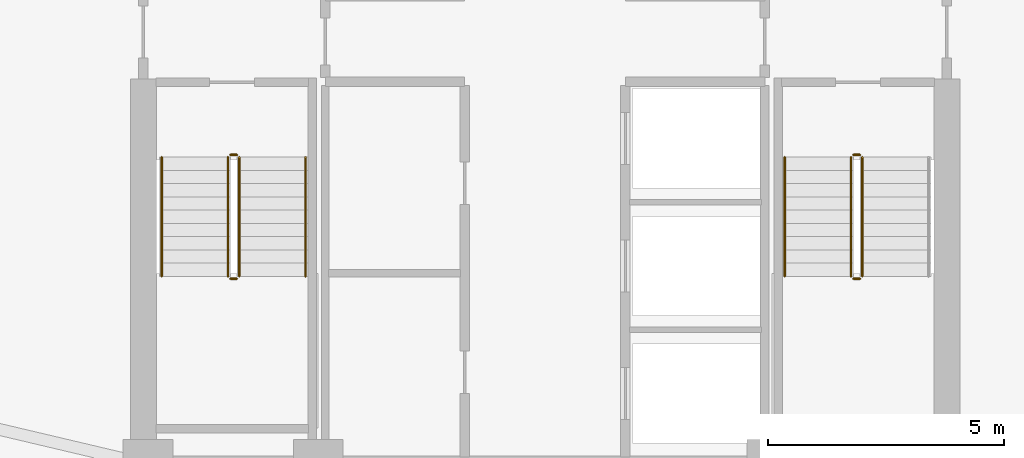
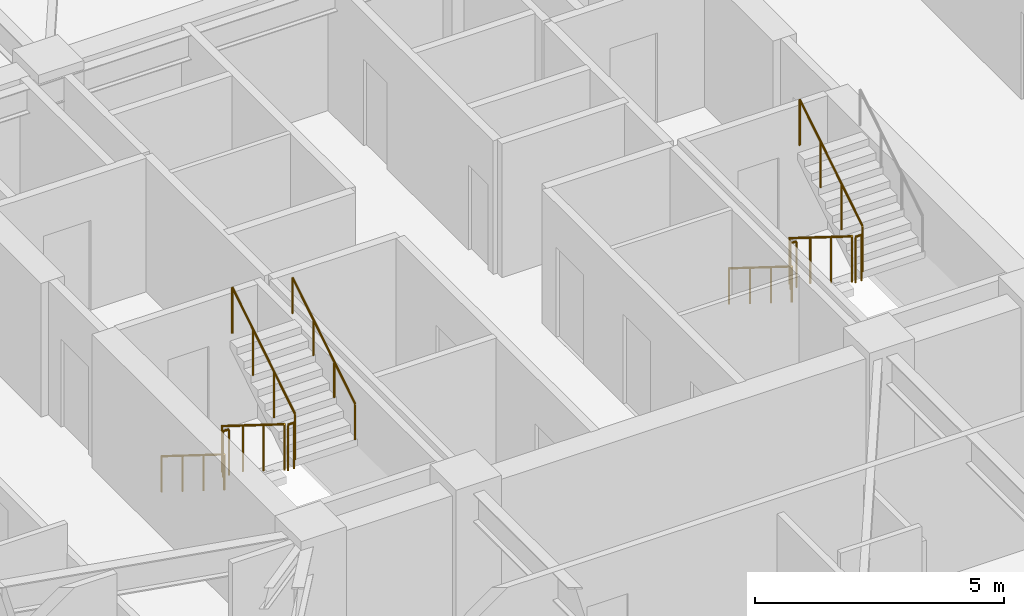
# One storey, part 8 of 11: 11 railings.
"""IFC4 building model written with IfcOpenShell, lengths in metres."""

from ifc_helpers import new_model, si_unit, direction, frame, origin, origin_2d, place, context, subcontext, project, spatial, circle, extrude, material, type_object, element, save


model = new_model("IFC4")

# Units and contexts
model_context = context("Model", 3, precision=1e-05, world=origin(), true_north=direction((0.0, 1.0)))
body_context = subcontext(model_context, "Body", "Model", "MODEL_VIEW")
ifc_project = project(units=[si_unit("LENGTHUNIT", "METRE"), si_unit("AREAUNIT", "SQUARE_METRE"), si_unit("VOLUMEUNIT", "CUBIC_METRE"), si_unit("PLANEANGLEUNIT", "RADIAN"), si_unit("MASSUNIT", "GRAM", prefix="KILO")], contexts=[model_context])

# Site, building, storey
site_placement = place(None, origin())
site = spatial("IfcSite", under=ifc_project, at=site_placement, CompositionType="ELEMENT")
building_placement = place(site_placement, origin())
building = spatial("IfcBuilding", under=site, at=building_placement, Name="Cairnveth Concourse Tower", CompositionType="ELEMENT")
storey_placement = place(building_placement, frame((0.0, 0.0, 151.5)))
storey = spatial("IfcBuildingStorey", under=building, at=storey_placement, Name="L41", CompositionType="ELEMENT", Elevation=151.5)

# Railings
ifc_material = material(Name="Steel Grade 350", Category="steel")
railing_type_1 = type_object("IfcRailingType", Name="STAIR GUARDRAIL 1150", PredefinedType="GUARDRAIL", material=ifc_material)
railing_1_placement = place(storey_placement, frame((45.2900390625, 37.10009765625, 0.175048828125)))
element("IfcRailing", 1, at=railing_1_placement, inside=storey, type_object=railing_type_1, Name="L41 ST-1 stair guard 1", PredefinedType="GUARDRAIL", context=body_context, shape_type="SweptSolid", body=[
    extrude(circle(Radius=0.02392578125, at=origin_2d()), frame((0.0, 0.0, 1.1259765625), z_axis=(0.0, -0.848007534815, 0.529984170421), x_axis=(1.0, 0.0, 0.0)), (0.0, 0.0, 1.0), 2.9716796875),
    extrude(circle(Radius=0.02099609375, at=origin_2d()), origin(), (0.0, 0.0, 1.0), 1.101806640625),
    extrude(circle(Radius=0.02099609375, at=origin_2d()), frame((0.0, -0.840087890625, 0.52490234375)), (0.0, 0.0, 1.0), 1.101806640625),
    extrude(circle(Radius=0.02099609375, at=origin_2d()), frame((0.0, -1.679931640625, 1.050048828125)), (0.0, 0.0, 1.0), 1.101806640625),
    extrude(circle(Radius=0.02099609375, at=origin_2d()), frame((0.0, -2.52001953125, 1.574951171875)), (0.0, 0.0, 1.0), 1.101806640625),
])
railing_2_placement = place(storey_placement, frame((45.340087890625, 34.530029296875, 1.75)))
element("IfcRailing", 2, at=railing_2_placement, inside=storey, type_object=railing_type_1, Name="L41 ST-1 stair guard 2", PredefinedType="GUARDRAIL", context=body_context, shape_type="SweptSolid", body=[
    extrude(circle(Radius=0.02392578125, at=origin_2d()), frame((0.0, 0.0, 1.1259765625), z_axis=(1.0, 0.0, 0.0), x_axis=(0.0, 1.0, 0.0)), (0.0, 0.0, 1.0), 0.139892578125),
    extrude(circle(Radius=0.02099609375, at=origin_2d()), origin(), (0.0, 0.0, 1.0), 1.101806640625),
    extrude(circle(Radius=0.02099609375, at=origin_2d()), frame((0.139892578125, 0.0, 0.0)), (0.0, 0.0, 1.0), 1.101806640625),
])
railing_3_placement = place(storey_placement, frame((45.530029296875, 34.580078125, 1.925048828125)))
element("IfcRailing", 3, at=railing_3_placement, inside=storey, type_object=railing_type_1, Name="L41 ST-1 stair guard 3", PredefinedType="GUARDRAIL", context=body_context, shape_type="SweptSolid", body=[
    extrude(circle(Radius=0.02392578125, at=origin_2d()), frame((0.0, 0.0, 1.1259765625), z_axis=(0.0, 0.848007534815, 0.529984170421), x_axis=(-1.0, 0.0, 0.0)), (0.0, 0.0, 1.0), 2.9716796875),
    extrude(circle(Radius=0.02099609375, at=origin_2d()), origin(), (0.0, 0.0, 1.0), 1.101806640625),
    extrude(circle(Radius=0.02099609375, at=origin_2d()), frame((0.0, 0.840087890625, 0.52490234375)), (0.0, 0.0, 1.0), 1.101806640625),
    extrude(circle(Radius=0.02099609375, at=origin_2d()), frame((0.0, 1.679931640625, 1.050048828125)), (0.0, 0.0, 1.0), 1.101806640625),
    extrude(circle(Radius=0.02099609375, at=origin_2d()), frame((0.0, 2.52001953125, 1.574951171875)), (0.0, 0.0, 1.0), 1.101806640625),
])
railing_4_placement = place(storey_placement, frame((45.340087890625, 37.14990234375, 0.0)))
element("IfcRailing", 4, at=railing_4_placement, inside=storey, type_object=railing_type_1, Name="L41 ST-1 stair guard 4", PredefinedType="GUARDRAIL", context=body_context, shape_type="SweptSolid", body=[
    extrude(circle(Radius=0.02392578125, at=origin_2d()), frame((0.0, 0.0, 1.1259765625), z_axis=(1.0, 0.0, 0.0), x_axis=(0.0, 1.0, 0.0)), (0.0, 0.0, 1.0), 0.139892578125),
    extrude(circle(Radius=0.02099609375, at=origin_2d()), origin(), (0.0, 0.0, 1.0), 1.101806640625),
    extrude(circle(Radius=0.02099609375, at=origin_2d()), frame((0.139892578125, 0.0, 0.0)), (0.0, 0.0, 1.0), 1.101806640625),
])
railing_5_placement = place(storey_placement, frame((58.469970703125, 37.10009765625, 0.175048828125)))
element("IfcRailing", 5, at=railing_5_placement, inside=storey, type_object=railing_type_1, Name="L41 ST-2 stair guard 1", PredefinedType="GUARDRAIL", context=body_context, shape_type="SweptSolid", body=[
    extrude(circle(Radius=0.02392578125, at=origin_2d()), frame((0.0, 0.0, 1.1259765625), z_axis=(0.0, -0.848007534815, 0.529984170421), x_axis=(1.0, 0.0, 0.0)), (0.0, 0.0, 1.0), 2.9716796875),
    extrude(circle(Radius=0.02099609375, at=origin_2d()), origin(), (0.0, 0.0, 1.0), 1.101806640625),
    extrude(circle(Radius=0.02099609375, at=origin_2d()), frame((0.0, -0.840087890625, 0.52490234375)), (0.0, 0.0, 1.0), 1.101806640625),
    extrude(circle(Radius=0.02099609375, at=origin_2d()), frame((0.0, -1.679931640625, 1.050048828125)), (0.0, 0.0, 1.0), 1.101806640625),
    extrude(circle(Radius=0.02099609375, at=origin_2d()), frame((0.0, -2.52001953125, 1.574951171875)), (0.0, 0.0, 1.0), 1.101806640625),
])
railing_6_placement = place(storey_placement, frame((58.52001953125, 34.530029296875, 1.75)))
element("IfcRailing", 6, at=railing_6_placement, inside=storey, type_object=railing_type_1, Name="L41 ST-2 stair guard 2", PredefinedType="GUARDRAIL", context=body_context, shape_type="SweptSolid", body=[
    extrude(circle(Radius=0.02392578125, at=origin_2d()), frame((0.0, 0.0, 1.1259765625), z_axis=(1.0, 0.0, 0.0), x_axis=(0.0, 1.0, 0.0)), (0.0, 0.0, 1.0), 0.139892578125),
    extrude(circle(Radius=0.02099609375, at=origin_2d()), origin(), (0.0, 0.0, 1.0), 1.101806640625),
    extrude(circle(Radius=0.02099609375, at=origin_2d()), frame((0.139892578125, 0.0, 0.0)), (0.0, 0.0, 1.0), 1.101806640625),
])
railing_7_placement = place(storey_placement, frame((58.7099609375, 34.580078125, 1.925048828125)))
element("IfcRailing", 7, at=railing_7_placement, inside=storey, type_object=railing_type_1, Name="L41 ST-2 stair guard 3", PredefinedType="GUARDRAIL", context=body_context, shape_type="SweptSolid", body=[
    extrude(circle(Radius=0.02392578125, at=origin_2d()), frame((0.0, 0.0, 1.1259765625), z_axis=(0.0, 0.848007534815, 0.529984170421), x_axis=(-1.0, 0.0, 0.0)), (0.0, 0.0, 1.0), 2.9716796875),
    extrude(circle(Radius=0.02099609375, at=origin_2d()), origin(), (0.0, 0.0, 1.0), 1.101806640625),
    extrude(circle(Radius=0.02099609375, at=origin_2d()), frame((0.0, 0.840087890625, 0.52490234375)), (0.0, 0.0, 1.0), 1.101806640625),
    extrude(circle(Radius=0.02099609375, at=origin_2d()), frame((0.0, 1.679931640625, 1.050048828125)), (0.0, 0.0, 1.0), 1.101806640625),
    extrude(circle(Radius=0.02099609375, at=origin_2d()), frame((0.0, 2.52001953125, 1.574951171875)), (0.0, 0.0, 1.0), 1.101806640625),
])
railing_8_placement = place(storey_placement, frame((58.52001953125, 37.14990234375, 0.0)))
element("IfcRailing", 8, at=railing_8_placement, inside=storey, type_object=railing_type_1, Name="L41 ST-2 stair guard 4", PredefinedType="GUARDRAIL", context=body_context, shape_type="SweptSolid", body=[
    extrude(circle(Radius=0.02392578125, at=origin_2d()), frame((0.0, 0.0, 1.1259765625), z_axis=(1.0, 0.0, 0.0), x_axis=(0.0, 1.0, 0.0)), (0.0, 0.0, 1.0), 0.139892578125),
    extrude(circle(Radius=0.02099609375, at=origin_2d()), origin(), (0.0, 0.0, 1.0), 1.101806640625),
    extrude(circle(Radius=0.02099609375, at=origin_2d()), frame((0.139892578125, 0.0, 0.0)), (0.0, 0.0, 1.0), 1.101806640625),
])
railing_type_2 = type_object("IfcRailingType", Name="STAIR WALL HANDRAIL 900", PredefinedType="HANDRAIL", material=ifc_material)
railing_9_placement = place(storey_placement, frame((43.889892578125, 37.10009765625, 0.175048828125)))
element("IfcRailing", 9, at=railing_9_placement, inside=storey, type_object=railing_type_2, Name="L41 ST-1 stair handrail 1", PredefinedType="HANDRAIL", context=body_context, shape_type="SweptSolid", body=[
    extrude(circle(Radius=0.02392578125, at=origin_2d()), frame((0.0, 0.0, 0.8759765625), z_axis=(0.0, -0.848007534815, 0.529984170421), x_axis=(1.0, 0.0, 0.0)), (0.0, 0.0, 1.0), 2.9716796875),
    extrude(circle(Radius=0.02099609375, at=origin_2d()), origin(), (0.0, 0.0, 1.0), 0.851806640625),
    extrude(circle(Radius=0.02099609375, at=origin_2d()), frame((0.0, -0.840087890625, 0.52490234375)), (0.0, 0.0, 1.0), 0.851806640625),
    extrude(circle(Radius=0.02099609375, at=origin_2d()), frame((0.0, -1.679931640625, 1.050048828125)), (0.0, 0.0, 1.0), 0.851806640625),
    extrude(circle(Radius=0.02099609375, at=origin_2d()), frame((0.0, -2.52001953125, 1.574951171875)), (0.0, 0.0, 1.0), 0.851806640625),
])
railing_10_placement = place(storey_placement, frame((46.929931640625, 34.580078125, 1.925048828125)))
element("IfcRailing", 10, at=railing_10_placement, inside=storey, type_object=railing_type_2, Name="L41 ST-1 stair handrail 2", PredefinedType="HANDRAIL", context=body_context, shape_type="SweptSolid", body=[
    extrude(circle(Radius=0.02392578125, at=origin_2d()), frame((0.0, 0.0, 0.8759765625), z_axis=(0.0, 0.848007534815, 0.529984170421), x_axis=(-1.0, 0.0, 0.0)), (0.0, 0.0, 1.0), 2.9716796875),
    extrude(circle(Radius=0.02099609375, at=origin_2d()), origin(), (0.0, 0.0, 1.0), 0.851806640625),
    extrude(circle(Radius=0.02099609375, at=origin_2d()), frame((0.0, 0.840087890625, 0.52490234375)), (0.0, 0.0, 1.0), 0.851806640625),
    extrude(circle(Radius=0.02099609375, at=origin_2d()), frame((0.0, 1.679931640625, 1.050048828125)), (0.0, 0.0, 1.0), 0.851806640625),
    extrude(circle(Radius=0.02099609375, at=origin_2d()), frame((0.0, 2.52001953125, 1.574951171875)), (0.0, 0.0, 1.0), 0.851806640625),
])
railing_11_placement = place(storey_placement, frame((57.070068359375, 37.10009765625, 0.175048828125)))
element("IfcRailing", 11, at=railing_11_placement, inside=storey, type_object=railing_type_2, Name="L41 ST-2 stair handrail 1", PredefinedType="HANDRAIL", context=body_context, shape_type="SweptSolid", body=[
    extrude(circle(Radius=0.02392578125, at=origin_2d()), frame((0.0, 0.0, 0.8759765625), z_axis=(0.0, -0.848007534815, 0.529984170421), x_axis=(1.0, 0.0, 0.0)), (0.0, 0.0, 1.0), 2.9716796875),
    extrude(circle(Radius=0.02099609375, at=origin_2d()), origin(), (0.0, 0.0, 1.0), 0.851806640625),
    extrude(circle(Radius=0.02099609375, at=origin_2d()), frame((0.0, -0.840087890625, 0.52490234375)), (0.0, 0.0, 1.0), 0.851806640625),
    extrude(circle(Radius=0.02099609375, at=origin_2d()), frame((0.0, -1.679931640625, 1.050048828125)), (0.0, 0.0, 1.0), 0.851806640625),
    extrude(circle(Radius=0.02099609375, at=origin_2d()), frame((0.0, -2.52001953125, 1.574951171875)), (0.0, 0.0, 1.0), 0.851806640625),
])

save(model, "model.ifc")
